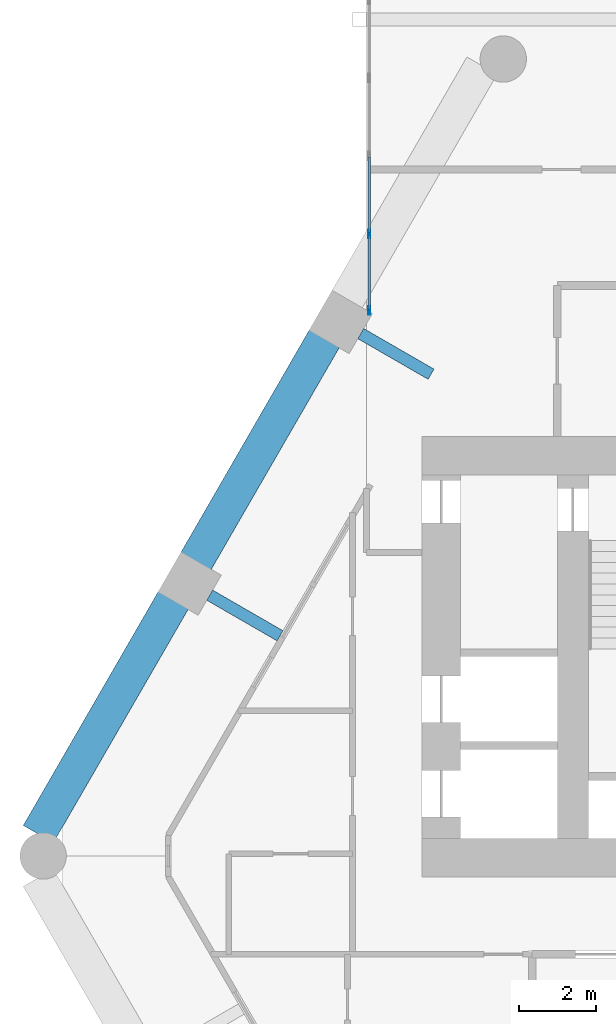
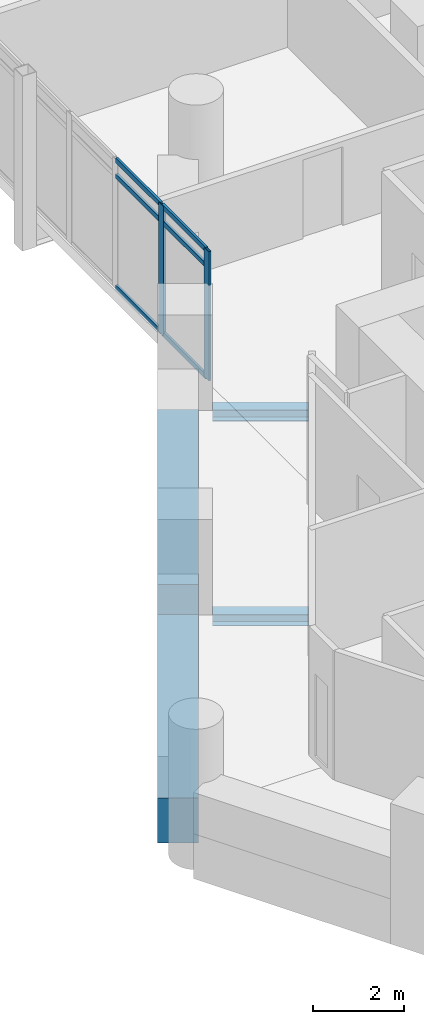
# One storey, part 12 of 28: 8 members, 4 beams, 1 element without a shape of its own.
"""IFC4 building model written with IfcOpenShell, lengths in metres."""

from ifc_helpers import new_model, si_unit, direction, frame, origin, origin_2d, place, context, subcontext, project, spatial, rectangle, hollow_rectangle, i_section, extrude, material, material_profile, profile_set, type_object, element, aggregate, save


model = new_model("IFC4")

# Units and contexts
model_context = context("Model", 3, precision=1e-05, world=origin(), true_north=direction((0.0, 1.0)))
body_context = subcontext(model_context, "Body", "Model", "MODEL_VIEW")
ifc_project = project(units=[si_unit("LENGTHUNIT", "METRE"), si_unit("AREAUNIT", "SQUARE_METRE"), si_unit("VOLUMEUNIT", "CUBIC_METRE"), si_unit("PLANEANGLEUNIT", "RADIAN"), si_unit("MASSUNIT", "GRAM", prefix="KILO")], contexts=[model_context])

# Site, building, storey
site_placement = place(None, origin())
site = spatial("IfcSite", under=ifc_project, at=site_placement, CompositionType="ELEMENT")
building_placement = place(site_placement, origin())
building = spatial("IfcBuilding", under=site, at=building_placement, Name="Ostrander Bayou Hotel Tower", CompositionType="ELEMENT")
storey_placement = place(building_placement, frame((0.0, 0.0, 142.25)))
storey = spatial("IfcBuildingStorey", under=building, at=storey_placement, Name="L35", CompositionType="ELEMENT", Elevation=142.25)

# Curtain wall, members
ifc_material_1 = material(Name="Aluminium and clear glass", Category="aluminium")
curtain_wall_type = type_object("IfcCurtainWallType", Name="CW-BAR glazed wall", PredefinedType="NOTDEFINED", material=ifc_material_1)
curtain_wall_placement = place(storey_placement, origin())
curtain_wall = element("IfcCurtainWall", 1, at=curtain_wall_placement, inside=storey, type_object=curtain_wall_type, Name="CW-BAR L35:SB3N:E", PredefinedType="NOTDEFINED")
ifc_material_2 = material(Name="Aluminium", Category="aluminium")
ifc_material_profile_1 = material_profile(ifc_material_2, hollow_rectangle(XDim=0.06005859375, YDim=0.219970703125, WallThickness=0.00390625, at=origin_2d()))
ifc_profile_set_1 = profile_set([ifc_material_profile_1], Name="Aluminium")
member_type_1 = type_object("IfcMemberType", Name="CW-BR mullion 60 x 220 mm", PredefinedType="MULLION", material=ifc_profile_set_1)
member_1_placement = place(storey_placement, frame((-13.3671875, 12.951416015625, 0.0), z_axis=(0.0, 0.0, 1.0), x_axis=(-1.0, 0.0, 0.0)))
member_1 = element("IfcMember", 2, at=member_1_placement, type_object=member_type_1, Name="CW-BAR mullion 1", PredefinedType="MULLION", context=body_context, shape_type="SweptSolid", body=[
    extrude(hollow_rectangle(XDim=0.06005859375, YDim=0.219970703125, WallThickness=0.00390625, at=origin_2d()), origin(), (0.0, 0.0, 1.0), 3.449951171875),
])
member_2_placement = place(storey_placement, frame((-13.3671875, 14.93603515625, 0.0), z_axis=(0.0, 0.0, 1.0), x_axis=(-1.0, 0.0, 0.0)))
member_2 = element("IfcMember", 3, at=member_2_placement, type_object=member_type_1, Name="CW-BAR mullion 2", PredefinedType="MULLION", context=body_context, shape_type="SweptSolid", body=[
    extrude(hollow_rectangle(XDim=0.06005859375, YDim=0.219970703125, WallThickness=0.00390625, at=origin_2d()), origin(), (0.0, 0.0, 1.0), 3.449951171875),
])
ifc_material_3 = material(Name="Aluminium", Category="aluminium")
ifc_material_profile_2 = material_profile(ifc_material_3, hollow_rectangle(XDim=0.06005859375, YDim=0.1298828125, WallThickness=0.00390625, at=origin_2d()))
ifc_profile_set_2 = profile_set([ifc_material_profile_2], Name="Aluminium")
member_type_2 = type_object("IfcMemberType", Name="CW-BR transom 60 x 130 mm", PredefinedType="USERDEFINED", material=ifc_profile_set_2)
member_3_placement = place(storey_placement, frame((-13.3671875, 12.9814453125, 0.030029296875), z_axis=(0.0, 1.0, 0.0), x_axis=(-1.0, 0.0, 0.0)))
member_3 = element("IfcMember", 4, at=member_3_placement, type_object=member_type_2, Name="CW-BAR transom 1.1", ObjectType="TRANSOM", PredefinedType="USERDEFINED", context=body_context, shape_type="SweptSolid", body=[
    extrude(hollow_rectangle(XDim=0.06005859375, YDim=0.1298828125, WallThickness=0.00390625, at=origin_2d()), origin(), (0.0, 0.0, 1.0), 1.924560546875),
])
member_4_placement = place(storey_placement, frame((-13.3671875, 12.9814453125, 3.0), z_axis=(0.0, 1.0, 0.0), x_axis=(-1.0, 0.0, 0.0)))
member_4 = element("IfcMember", 5, at=member_4_placement, type_object=member_type_2, Name="CW-BAR transom 1.2", ObjectType="TRANSOM", PredefinedType="USERDEFINED", context=body_context, shape_type="SweptSolid", body=[
    extrude(hollow_rectangle(XDim=0.06005859375, YDim=0.1298828125, WallThickness=0.00390625, at=origin_2d()), origin(), (0.0, 0.0, 1.0), 1.924560546875),
])
member_5_placement = place(storey_placement, frame((-13.3671875, 12.9814453125, 3.419921875), z_axis=(0.0, 1.0, 0.0), x_axis=(-1.0, 0.0, 0.0)))
member_5 = element("IfcMember", 6, at=member_5_placement, type_object=member_type_2, Name="CW-BAR transom 1.3", ObjectType="TRANSOM", PredefinedType="USERDEFINED", context=body_context, shape_type="SweptSolid", body=[
    extrude(hollow_rectangle(XDim=0.06005859375, YDim=0.1298828125, WallThickness=0.00390625, at=origin_2d()), origin(), (0.0, 0.0, 1.0), 1.924560546875),
])
member_6_placement = place(storey_placement, frame((-13.3671875, 14.966064453125, 0.030029296875), z_axis=(0.0, 1.0, 0.0), x_axis=(-1.0, 0.0, 0.0)))
member_6 = element("IfcMember", 7, at=member_6_placement, type_object=member_type_2, Name="CW-BAR transom 2.1", ObjectType="TRANSOM", PredefinedType="USERDEFINED", context=body_context, shape_type="SweptSolid", body=[
    extrude(hollow_rectangle(XDim=0.06005859375, YDim=0.1298828125, WallThickness=0.00390625, at=origin_2d()), origin(), (0.0, 0.0, 1.0), 1.954345703125),
])
member_7_placement = place(storey_placement, frame((-13.3671875, 14.966064453125, 3.0), z_axis=(0.0, 1.0, 0.0), x_axis=(-1.0, 0.0, 0.0)))
member_7 = element("IfcMember", 8, at=member_7_placement, type_object=member_type_2, Name="CW-BAR transom 2.2", ObjectType="TRANSOM", PredefinedType="USERDEFINED", context=body_context, shape_type="SweptSolid", body=[
    extrude(hollow_rectangle(XDim=0.06005859375, YDim=0.1298828125, WallThickness=0.00390625, at=origin_2d()), origin(), (0.0, 0.0, 1.0), 1.954345703125),
])
member_8_placement = place(storey_placement, frame((-13.3671875, 14.966064453125, 3.419921875), z_axis=(0.0, 1.0, 0.0), x_axis=(-1.0, 0.0, 0.0)))
member_8 = element("IfcMember", 9, at=member_8_placement, type_object=member_type_2, Name="CW-BAR transom 2.3", ObjectType="TRANSOM", PredefinedType="USERDEFINED", context=body_context, shape_type="SweptSolid", body=[
    extrude(hollow_rectangle(XDim=0.06005859375, YDim=0.1298828125, WallThickness=0.00390625, at=origin_2d()), origin(), (0.0, 0.0, 1.0), 1.954345703125),
])
aggregate(curtain_wall, [member_1, member_2, member_3, member_4, member_5, member_6, member_7, member_8])

# Beams
ifc_material_4 = material(Name="Steel ASTM A992", Category="steel")
ifc_material_profile_3 = material_profile(ifc_material_4, i_section(OverallWidth=0.3046875, OverallDepth=0.307861328125, WebThickness=0.010009765625, FlangeThickness=0.015380859375, at=origin_2d()))
ifc_profile_set_3 = profile_set([ifc_material_profile_3], Name="Steel ASTM A992")
beam_type_1 = type_object("IfcBeamType", Name="LB1 loggia bracket W12x65", PredefinedType="BEAM", material=ifc_profile_set_3)
beam_1_placement = place(storey_placement, frame((-13.586181640625, 12.35498046875, -0.453857421875), z_axis=(0.866059744384, -0.49994051562, 0.0), x_axis=(0.49994051562, 0.866059744384, 0.0)))
element("IfcBeam", 10, at=beam_1_placement, inside=storey, type_object=beam_type_1, Name="LB1 L35 NW1", PredefinedType="BEAM", context=body_context, shape_type="SweptSolid", body=[
    extrude(i_section(OverallWidth=0.3046875, OverallDepth=0.307861328125, WebThickness=0.010009765625, FlangeThickness=0.015380859375, at=origin_2d()), origin(), (0.0, 0.0, 1.0), 2.099853515625),
])
beam_2_placement = place(storey_placement, frame((-17.492919921875, 5.58837890625, -0.453857421875), z_axis=(0.866009402589, -0.500027713859, 0.0), x_axis=(0.500027713859, 0.866009402589, 0.0)))
element("IfcBeam", 11, at=beam_2_placement, inside=storey, type_object=beam_type_1, Name="LB1 L35 NW2", PredefinedType="BEAM", context=body_context, shape_type="SweptSolid", body=[
    extrude(i_section(OverallWidth=0.3046875, OverallDepth=0.307861328125, WebThickness=0.010009765625, FlangeThickness=0.015380859375, at=origin_2d()), origin(), (0.0, 0.0, 1.0), 2.10009765625),
])
ifc_material_5 = material(Name="Concrete f'c 70 MPa", Category="concrete")
ifc_material_profile_4 = material_profile(ifc_material_5, rectangle(XDim=0.89990234375, YDim=1.199951171875, at=origin_2d()))
ifc_profile_set_4 = profile_set([ifc_material_profile_4], Name="Concrete f'c 70 MPa")
beam_type_2 = type_object("IfcBeamType", Name="SP2 spandrel beam 900 x 1200 mm f'c 70 MPa", PredefinedType="SPANDREL", material=ifc_profile_set_4)
beam_3_placement = place(storey_placement, frame((-14.520751953125, 12.236572265625, -0.60009765625), z_axis=(-0.499983182885, -0.866035112932, 0.0), x_axis=(0.866035112932, -0.499983182885, 0.0)))
element("IfcBeam", 12, at=beam_3_placement, inside=storey, type_object=beam_type_2, Name="SP2 L35 NW-2", PredefinedType="SPANDREL", context=body_context, shape_type="SweptSolid", body=[
    extrude(rectangle(XDim=0.89990234375, YDim=1.199951171875, at=origin_2d()), origin(), (0.0, 0.0, 1.0), 6.673583984375),
])
beam_4_placement = place(storey_placement, frame((-18.427490234375, 5.4697265625, -0.60009765625), z_axis=(-0.499991127072, -0.866030526511, 0.0), x_axis=(0.866030526511, -0.499991127072, 0.0)))
element("IfcBeam", 13, at=beam_4_placement, inside=storey, type_object=beam_type_2, Name="SP2 L35 NW-3", PredefinedType="SPANDREL", context=body_context, shape_type="SweptSolid", body=[
    extrude(rectangle(XDim=0.89990234375, YDim=1.199951171875, at=origin_2d()), origin(), (0.0, 0.0, 1.0), 7.000732421875),
])

save(model, "model.ifc")
